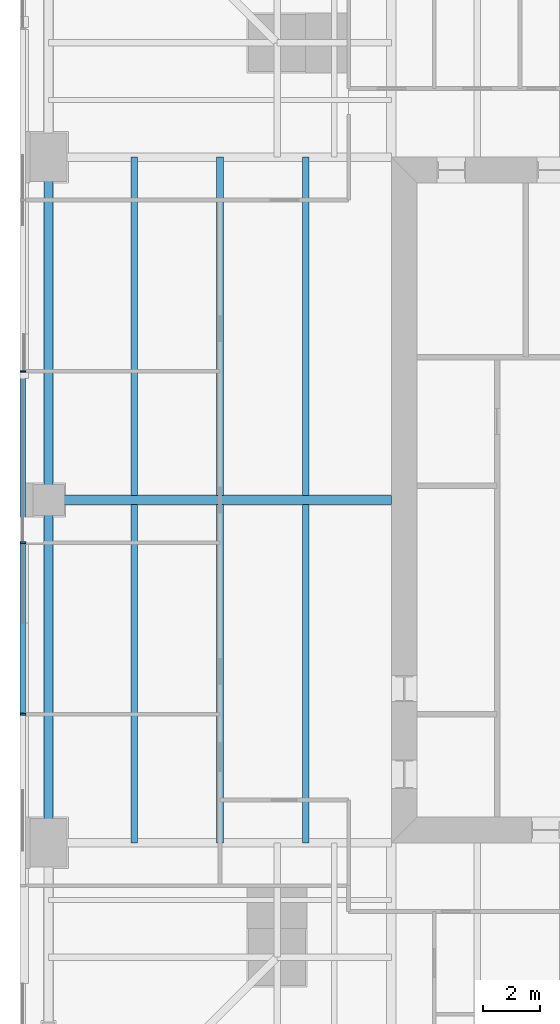
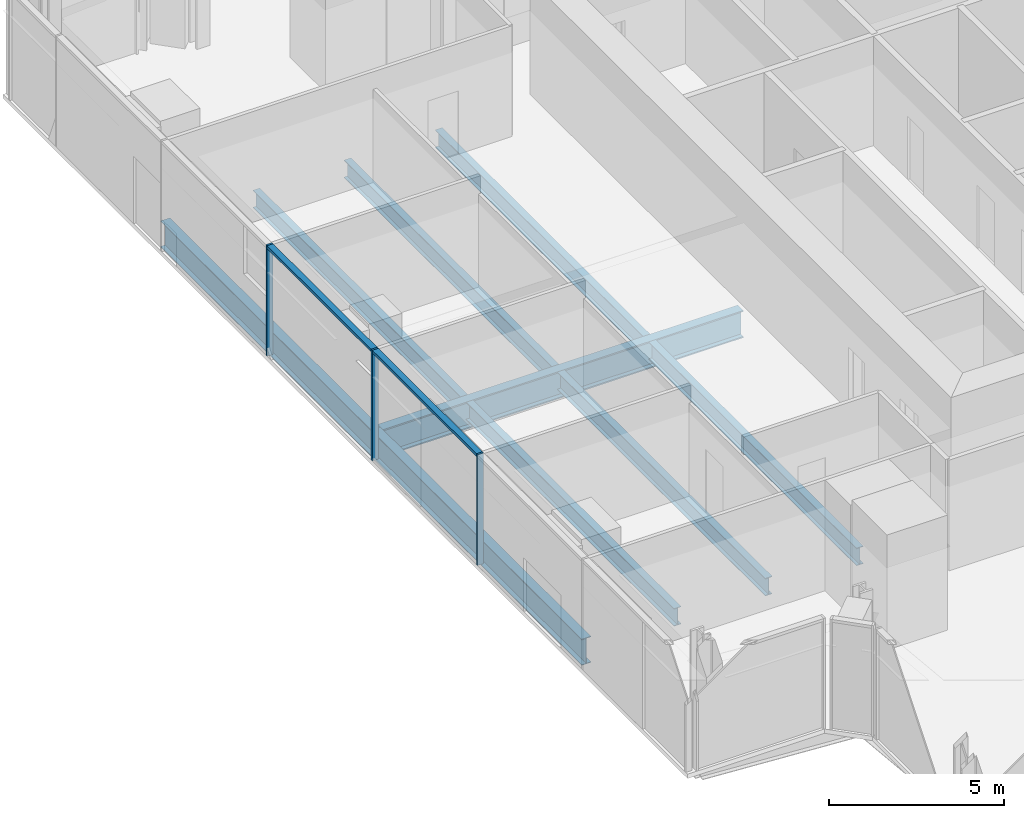
# One storey, part 4 of 14: 9 beams, 5 members, 1 element without a shape of its own.
"""IFC4 building model written with IfcOpenShell, lengths in metres."""

from ifc_helpers import new_model, si_unit, direction, frame, origin, origin_2d, place, context, subcontext, project, spatial, rectangle, i_section, extrude, material, material_profile, profile_set, type_object, element, aggregate, save


model = new_model("IFC4")

# Units and contexts
model_context = context("Model", 3, precision=1e-05, world=origin(), true_north=direction((0.0, 1.0)))
body_context = subcontext(model_context, "Body", "Model", "MODEL_VIEW")
ifc_project = project(units=[si_unit("LENGTHUNIT", "METRE"), si_unit("AREAUNIT", "SQUARE_METRE"), si_unit("VOLUMEUNIT", "CUBIC_METRE"), si_unit("PLANEANGLEUNIT", "RADIAN"), si_unit("MASSUNIT", "GRAM", prefix="KILO")], contexts=[model_context])

# Site, building, storey
site_placement = place(None, origin())
site = spatial("IfcSite", under=ifc_project, at=site_placement, CompositionType="ELEMENT")
building_placement = place(site_placement, origin())
building = spatial("IfcBuilding", under=site, at=building_placement, Name="Fenwick Lantern Interchange", CompositionType="ELEMENT")
storey_placement = place(building_placement, frame((0.0, 0.0, 225.800048828125)))
storey = spatial("IfcBuildingStorey", under=building, at=storey_placement, Name="L53", CompositionType="ELEMENT", Elevation=225.800048828125)

# Beams
ifc_material_1 = material(Name="Steel ASTM A992 Grade 50", Category="steel")
ifc_material_profile_1 = material_profile(ifc_material_1, i_section(OverallWidth=0.3046875, OverallDepth=0.911865234375, WebThickness=0.015869140625, FlangeThickness=0.02392578125, at=origin_2d()), Name="W36X150")
ifc_profile_set_1 = profile_set([ifc_material_profile_1], Name="Steel ASTM A992 Grade 50")
beam_type_1 = type_object("IfcBeamType", Name="EDGE BEAM W36X150", PredefinedType="SPANDREL", material=ifc_profile_set_1)
for number, where, z_axis, x_axis, name in (
    (1, (1.0, 37.0, -0.60595703125), (0.0, -1.0, 0.0), (1.0, 0.0, 0.0), "L53/FR/W/EB2"),
    (2, (1.0, 25.0, -0.60595703125), (0.0, -1.0, 0.0), (1.0, 0.0, 0.0), "L53/FR/W/EB3"),
):
    element("IfcBeam", number, at=place(storey_placement, frame(where, z_axis=z_axis, x_axis=x_axis)), inside=storey, type_object=beam_type_1, Name=name, PredefinedType="SPANDREL", context=body_context, shape_type="SweptSolid", body=[
        extrude(i_section(OverallWidth=0.3046875, OverallDepth=0.911865234375, WebThickness=0.015869140625, FlangeThickness=0.02392578125, at=origin_2d()), origin(), (0.0, 0.0, 1.0), 12.0),
    ])
ifc_material_profile_2 = material_profile(ifc_material_1, i_section(OverallWidth=0.22900390625, OverallDepth=0.612060546875, WebThickness=0.011962890625, FlangeThickness=0.01953125, at=origin_2d()), Name="W24X84")
ifc_profile_set_2 = profile_set([ifc_material_profile_2], Name="Steel ASTM A992 Grade 50")
beam_type_2 = type_object("IfcBeamType", Name="FLOOR BEAM W24X84", PredefinedType="BEAM", material=ifc_profile_set_2)
for number, where, z_axis, x_axis, name in (
    (3, (4.0, 37.0, -0.4560546875), (0.0, -1.0, 0.0), (1.0, 0.0, 0.0), "L53/FR/W/B01"),
    (4, (7.0, 37.0, -0.4560546875), (0.0, -1.0, 0.0), (1.0, 0.0, 0.0), "L53/FR/W/B02"),
    (5, (10.0, 37.0, -0.4560546875), (0.0, -1.0, 0.0), (1.0, 0.0, 0.0), "L53/FR/W/B03"),
    (6, (4.0, 24.844970703125, -0.4560546875), (0.0, -1.0, 0.0), (1.0, 0.0, 0.0), "L53/FR/W/B04"),
    (7, (7.0, 24.844970703125, -0.4560546875), (0.0, -1.0, 0.0), (1.0, 0.0, 0.0), "L53/FR/W/B05"),
    (8, (10.0, 24.844970703125, -0.4560546875), (0.0, -1.0, 0.0), (1.0, 0.0, 0.0), "L53/FR/W/B06"),
):
    element("IfcBeam", number, at=place(storey_placement, frame(where, z_axis=z_axis, x_axis=x_axis)), inside=storey, type_object=beam_type_2, Name=name, PredefinedType="BEAM", context=body_context, shape_type="SweptSolid", body=[
        extrude(i_section(OverallWidth=0.22900390625, OverallDepth=0.612060546875, WebThickness=0.011962890625, FlangeThickness=0.01953125, at=origin_2d()), origin(), (0.0, 0.0, 1.0), 11.844970703125),
    ])
ifc_material_profile_3 = material_profile(ifc_material_1, i_section(OverallWidth=0.309814453125, OverallDepth=0.949951171875, WebThickness=0.0244140625, FlangeThickness=0.0439453125, at=origin_2d()), Name="W36X256")
ifc_profile_set_3 = profile_set([ifc_material_profile_3], Name="Steel ASTM A992 Grade 50")
beam_type_3 = type_object("IfcBeamType", Name="MOMENT-CONNECTED GIRDER W36X256", PredefinedType="BEAM", material=ifc_profile_set_3)
beam_placement = place(storey_placement, frame((1.0, 25.0, -0.625), z_axis=(1.0, 0.0, 0.0), x_axis=(0.0, 1.0, 0.0)))
element("IfcBeam", 9, at=beam_placement, inside=storey, type_object=beam_type_3, Name="L53/FR/W/R02", PredefinedType="BEAM", context=body_context, shape_type="SweptSolid", body=[
    extrude(i_section(OverallWidth=0.309814453125, OverallDepth=0.949951171875, WebThickness=0.0244140625, FlangeThickness=0.0439453125, at=origin_2d()), origin(), (0.0, 0.0, 1.0), 12.0),
])

# Curtain wall, members
ifc_material_2 = material(Name="Aluminium curtain wall frame", Category="aluminium")
curtain_wall_type = type_object("IfcCurtainWallType", Name="OFFICE CURTAIN WALL", PredefinedType="USERDEFINED", material=ifc_material_2)
curtain_wall_placement = place(storey_placement, origin())
curtain_wall = element("IfcCurtainWall", 10, at=curtain_wall_placement, inside=storey, type_object=curtain_wall_type, Name="Office curtain wall 13", ObjectType="OFFICE CURTAIN WALL", PredefinedType="USERDEFINED")
ifc_material_3 = material(Name="Aluminium extrusion", Category="aluminium")
ifc_material_profile_4 = material_profile(ifc_material_3, rectangle(XDim=0.199951171875, YDim=0.06494140625, at=origin_2d()), Name="OFFICE CURTAIN WALL MULLION 65 X 200")
ifc_profile_set_4 = profile_set([ifc_material_profile_4], Name="Aluminium extrusion")
member_type_1 = type_object("IfcMemberType", Name="OFFICE CURTAIN WALL MULLION 65 X 200", PredefinedType="MULLION", material=ifc_profile_set_4)
member_1_placement = place(storey_placement, frame((0.10009765625, 29.5, 0.0), z_axis=(0.0, 0.0, 1.0), x_axis=(1.0, 0.0, 0.0)))
member_1 = element("IfcMember", 11, at=member_1_placement, type_object=member_type_1, Name="L53/CW/13/M03", PredefinedType="MULLION", context=body_context, shape_type="SweptSolid", body=[
    extrude(rectangle(XDim=0.199951171875, YDim=0.06494140625, at=origin_2d()), origin(), (0.0, 0.0, 1.0), 3.849853515625),
])
member_2_placement = place(storey_placement, frame((0.10009765625, 23.5, 0.0), z_axis=(0.0, 0.0, 1.0), x_axis=(1.0, 0.0, 0.0)))
member_2 = element("IfcMember", 12, at=member_2_placement, type_object=member_type_1, Name="L53/CW/13/M04", PredefinedType="MULLION", context=body_context, shape_type="SweptSolid", body=[
    extrude(rectangle(XDim=0.199951171875, YDim=0.06494140625, at=origin_2d()), origin(), (0.0, 0.0, 1.0), 3.849853515625),
])
member_3_placement = place(storey_placement, frame((0.10009765625, 17.5, 0.0), z_axis=(0.0, 0.0, 1.0), x_axis=(1.0, 0.0, 0.0)))
member_3 = element("IfcMember", 13, at=member_3_placement, type_object=member_type_1, Name="L53/CW/13/M05", PredefinedType="MULLION", context=body_context, shape_type="SweptSolid", body=[
    extrude(rectangle(XDim=0.199951171875, YDim=0.06494140625, at=origin_2d()), origin(), (0.0, 0.0, 1.0), 3.849853515625),
])
ifc_material_profile_5 = material_profile(ifc_material_3, rectangle(XDim=0.199951171875, YDim=0.10009765625, at=origin_2d()), Name="OFFICE CURTAIN WALL TRANSOM 100 X 200")
ifc_profile_set_5 = profile_set([ifc_material_profile_5], Name="Aluminium extrusion")
member_type_2 = type_object("IfcMemberType", Name="OFFICE CURTAIN WALL TRANSOM 100 X 200", PredefinedType="MULLION", material=ifc_profile_set_5)
member_4_placement = place(storey_placement, frame((0.10009765625, 29.467529296875, 3.800048828125), z_axis=(0.0, -1.0, 0.0), x_axis=(1.0, 0.0, 0.0)))
member_4 = element("IfcMember", 14, at=member_4_placement, type_object=member_type_2, Name="L53/CW/13/T03", PredefinedType="MULLION", context=body_context, shape_type="SweptSolid", body=[
    extrude(rectangle(XDim=0.199951171875, YDim=0.10009765625, at=origin_2d()), origin(), (0.0, 0.0, 1.0), 5.93505859375),
])
member_5_placement = place(storey_placement, frame((0.10009765625, 23.467529296875, 3.800048828125), z_axis=(0.0, -1.0, 0.0), x_axis=(1.0, 0.0, 0.0)))
member_5 = element("IfcMember", 15, at=member_5_placement, type_object=member_type_2, Name="L53/CW/13/T04", PredefinedType="MULLION", context=body_context, shape_type="SweptSolid", body=[
    extrude(rectangle(XDim=0.199951171875, YDim=0.10009765625, at=origin_2d()), origin(), (0.0, 0.0, 1.0), 5.93505859375),
])
aggregate(curtain_wall, [member_1, member_2, member_3, member_4, member_5])

save(model, "model.ifc")
